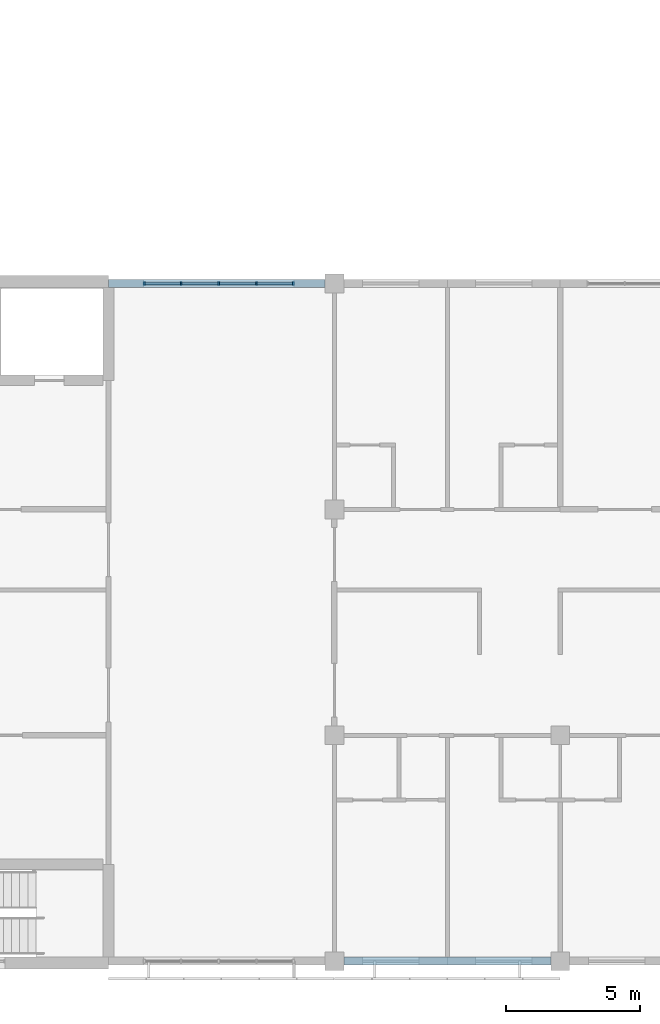
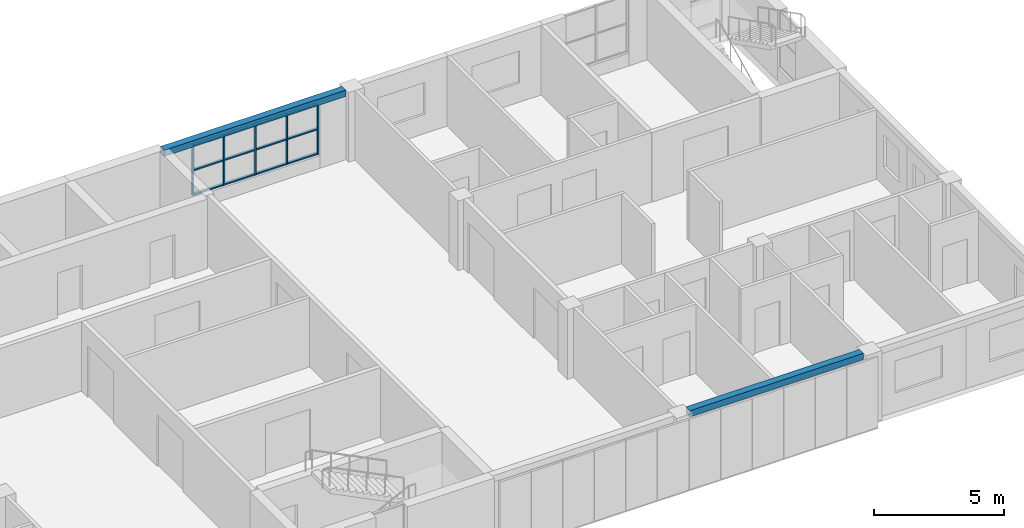
# One storey, part 17 of 46: 17 members, 2 beams, 1 element without a shape of its own.
"""IFC4 building model written with IfcOpenShell, lengths in metres."""

from ifc_helpers import new_model, si_unit, direction, frame, origin, origin_2d, place, context, subcontext, project, spatial, rectangle, extrude, material, material_profile, profile_set, type_object, element, aggregate, save


model = new_model("IFC4")

# Units and contexts
model_context = context("Model", 3, precision=1e-05, world=origin(), true_north=direction((0.0, 1.0)))
body_context = subcontext(model_context, "Body", "Model", "MODEL_VIEW")
ifc_project = project(units=[si_unit("LENGTHUNIT", "METRE"), si_unit("AREAUNIT", "SQUARE_METRE"), si_unit("VOLUMEUNIT", "CUBIC_METRE"), si_unit("PLANEANGLEUNIT", "RADIAN"), si_unit("MASSUNIT", "GRAM", prefix="KILO")], contexts=[model_context])

# Site, building, storey
site_placement = place(None, origin())
site = spatial("IfcSite", under=ifc_project, at=site_placement, CompositionType="ELEMENT")
building_placement = place(site_placement, origin())
building = spatial("IfcBuilding", under=site, at=building_placement, Name="Yavir Park General Hospital", CompositionType="ELEMENT")
storey_placement = place(building_placement, frame((0.0, 0.0, 18.89990234375)))
storey = spatial("IfcBuildingStorey", under=building, at=storey_placement, Name="L04", CompositionType="ELEMENT", Elevation=18.89990234375)

# Curtain wall, members
ifc_material_1 = material(Name="Aluminium curtain wall frame with insulated glazing", Category="aluminium")
curtain_wall_type = type_object("IfcCurtainWallType", Name="Day room pocket glazing, ward floors, 2360 high, 1400 module", PredefinedType="NOTDEFINED", material=ifc_material_1)
curtain_wall_placement = place(storey_placement, origin())
curtain_wall = element("IfcCurtainWall", 1, at=curtain_wall_placement, inside=storey, type_object=curtain_wall_type, Name="CW6 L04-011", PredefinedType="NOTDEFINED")
ifc_material_2 = material(Name="Aluminium", Category="aluminium")
ifc_material_profile_1 = material_profile(ifc_material_2, rectangle(XDim=0.139892578125, YDim=0.06005859375, at=origin_2d()), Name="AL 60x140")
ifc_profile_set_1 = profile_set([ifc_material_profile_1], Name="Aluminium")
member_type_1 = type_object("IfcMemberType", Name="Day room pocket glazing, ward floors, 2360 high mullion 60 x 140", PredefinedType="MULLION", material=ifc_profile_set_1)
member_1_placement = place(storey_placement, frame((144.1298828125, 25.199951171875, 0.60009765625), z_axis=(0.0, 0.0, 1.0), x_axis=(0.0, 1.0, 0.0)))
member_1 = element("IfcMember", 2, at=member_1_placement, type_object=member_type_1, Name="CW6 mullion 1", PredefinedType="MULLION", context=body_context, shape_type="SweptSolid", body=[
    extrude(rectangle(XDim=0.139892578125, YDim=0.06005859375, at=origin_2d()), origin(), (0.0, 0.0, 1.0), 2.360107421875),
])
member_2_placement = place(storey_placement, frame((145.5, 25.199951171875, 0.60009765625), z_axis=(0.0, 0.0, 1.0), x_axis=(0.0, 1.0, 0.0)))
member_2 = element("IfcMember", 3, at=member_2_placement, type_object=member_type_1, Name="CW6 mullion 2", PredefinedType="MULLION", context=body_context, shape_type="SweptSolid", body=[
    extrude(rectangle(XDim=0.139892578125, YDim=0.06005859375, at=origin_2d()), origin(), (0.0, 0.0, 1.0), 2.360107421875),
])
member_3_placement = place(storey_placement, frame((146.89990234375, 25.199951171875, 0.60009765625), z_axis=(0.0, 0.0, 1.0), x_axis=(0.0, 1.0, 0.0)))
member_3 = element("IfcMember", 4, at=member_3_placement, type_object=member_type_1, Name="CW6 mullion 3", PredefinedType="MULLION", context=body_context, shape_type="SweptSolid", body=[
    extrude(rectangle(XDim=0.139892578125, YDim=0.06005859375, at=origin_2d()), origin(), (0.0, 0.0, 1.0), 2.360107421875),
])
member_4_placement = place(storey_placement, frame((148.300048828125, 25.199951171875, 0.60009765625), z_axis=(0.0, 0.0, 1.0), x_axis=(0.0, 1.0, 0.0)))
member_4 = element("IfcMember", 5, at=member_4_placement, type_object=member_type_1, Name="CW6 mullion 4", PredefinedType="MULLION", context=body_context, shape_type="SweptSolid", body=[
    extrude(rectangle(XDim=0.139892578125, YDim=0.06005859375, at=origin_2d()), origin(), (0.0, 0.0, 1.0), 2.360107421875),
])
member_5_placement = place(storey_placement, frame((149.669921875, 25.199951171875, 0.60009765625), z_axis=(0.0, 0.0, 1.0), x_axis=(0.0, 1.0, 0.0)))
member_5 = element("IfcMember", 6, at=member_5_placement, type_object=member_type_1, Name="CW6 mullion 5", PredefinedType="MULLION", context=body_context, shape_type="SweptSolid", body=[
    extrude(rectangle(XDim=0.139892578125, YDim=0.06005859375, at=origin_2d()), origin(), (0.0, 0.0, 1.0), 2.360107421875),
])
ifc_material_3 = material(Name="Aluminium", Category="aluminium")
ifc_material_profile_2 = material_profile(ifc_material_3, rectangle(XDim=0.1201171875, YDim=0.06005859375, at=origin_2d()), Name="AL 120x60")
ifc_profile_set_2 = profile_set([ifc_material_profile_2], Name="Aluminium")
member_type_2 = type_object("IfcMemberType", Name="Day room pocket glazing, ward floors, 2360 high transom 60 x 120", PredefinedType="MULLION", material=ifc_profile_set_2)
member_6_placement = place(storey_placement, frame((144.159912109375, 25.199951171875, 0.630126953125), z_axis=(1.0, 0.0, 0.0), x_axis=(0.0, 1.0, 0.0)))
member_6 = element("IfcMember", 7, at=member_6_placement, type_object=member_type_2, Name="CW6 transom 1.1", PredefinedType="MULLION", context=body_context, shape_type="SweptSolid", body=[
    extrude(rectangle(XDim=0.1201171875, YDim=0.06005859375, at=origin_2d()), origin(), (0.0, 0.0, 1.0), 1.31005859375),
])
member_7_placement = place(storey_placement, frame((144.159912109375, 25.199951171875, 1.780029296875), z_axis=(1.0, 0.0, 0.0), x_axis=(0.0, 1.0, 0.0)))
member_7 = element("IfcMember", 8, at=member_7_placement, type_object=member_type_2, Name="CW6 transom 1.2", PredefinedType="MULLION", context=body_context, shape_type="SweptSolid", body=[
    extrude(rectangle(XDim=0.1201171875, YDim=0.06005859375, at=origin_2d()), origin(), (0.0, 0.0, 1.0), 1.31005859375),
])
member_8_placement = place(storey_placement, frame((144.159912109375, 25.199951171875, 2.93017578125), z_axis=(1.0, 0.0, 0.0), x_axis=(0.0, 1.0, 0.0)))
member_8 = element("IfcMember", 9, at=member_8_placement, type_object=member_type_2, Name="CW6 transom 1.3", PredefinedType="MULLION", context=body_context, shape_type="SweptSolid", body=[
    extrude(rectangle(XDim=0.1201171875, YDim=0.06005859375, at=origin_2d()), origin(), (0.0, 0.0, 1.0), 1.31005859375),
])
member_9_placement = place(storey_placement, frame((145.530029296875, 25.199951171875, 0.630126953125), z_axis=(1.0, 0.0, 0.0), x_axis=(0.0, 1.0, 0.0)))
member_9 = element("IfcMember", 10, at=member_9_placement, type_object=member_type_2, Name="CW6 transom 2.1", PredefinedType="MULLION", context=body_context, shape_type="SweptSolid", body=[
    extrude(rectangle(XDim=0.1201171875, YDim=0.06005859375, at=origin_2d()), origin(), (0.0, 0.0, 1.0), 1.340087890625),
])
member_10_placement = place(storey_placement, frame((145.530029296875, 25.199951171875, 1.780029296875), z_axis=(1.0, 0.0, 0.0), x_axis=(0.0, 1.0, 0.0)))
member_10 = element("IfcMember", 11, at=member_10_placement, type_object=member_type_2, Name="CW6 transom 2.2", PredefinedType="MULLION", context=body_context, shape_type="SweptSolid", body=[
    extrude(rectangle(XDim=0.1201171875, YDim=0.06005859375, at=origin_2d()), origin(), (0.0, 0.0, 1.0), 1.340087890625),
])
member_11_placement = place(storey_placement, frame((145.530029296875, 25.199951171875, 2.93017578125), z_axis=(1.0, 0.0, 0.0), x_axis=(0.0, 1.0, 0.0)))
member_11 = element("IfcMember", 12, at=member_11_placement, type_object=member_type_2, Name="CW6 transom 2.3", PredefinedType="MULLION", context=body_context, shape_type="SweptSolid", body=[
    extrude(rectangle(XDim=0.1201171875, YDim=0.06005859375, at=origin_2d()), origin(), (0.0, 0.0, 1.0), 1.340087890625),
])
member_12_placement = place(storey_placement, frame((146.929931640625, 25.199951171875, 0.630126953125), z_axis=(1.0, 0.0, 0.0), x_axis=(0.0, 1.0, 0.0)))
member_12 = element("IfcMember", 13, at=member_12_placement, type_object=member_type_2, Name="CW6 transom 3.1", PredefinedType="MULLION", context=body_context, shape_type="SweptSolid", body=[
    extrude(rectangle(XDim=0.1201171875, YDim=0.06005859375, at=origin_2d()), origin(), (0.0, 0.0, 1.0), 1.340087890625),
])
member_13_placement = place(storey_placement, frame((146.929931640625, 25.199951171875, 1.780029296875), z_axis=(1.0, 0.0, 0.0), x_axis=(0.0, 1.0, 0.0)))
member_13 = element("IfcMember", 14, at=member_13_placement, type_object=member_type_2, Name="CW6 transom 3.2", PredefinedType="MULLION", context=body_context, shape_type="SweptSolid", body=[
    extrude(rectangle(XDim=0.1201171875, YDim=0.06005859375, at=origin_2d()), origin(), (0.0, 0.0, 1.0), 1.340087890625),
])
member_14_placement = place(storey_placement, frame((146.929931640625, 25.199951171875, 2.93017578125), z_axis=(1.0, 0.0, 0.0), x_axis=(0.0, 1.0, 0.0)))
member_14 = element("IfcMember", 15, at=member_14_placement, type_object=member_type_2, Name="CW6 transom 3.3", PredefinedType="MULLION", context=body_context, shape_type="SweptSolid", body=[
    extrude(rectangle(XDim=0.1201171875, YDim=0.06005859375, at=origin_2d()), origin(), (0.0, 0.0, 1.0), 1.340087890625),
])
member_15_placement = place(storey_placement, frame((148.330078125, 25.199951171875, 0.630126953125), z_axis=(1.0, 0.0, 0.0), x_axis=(0.0, 1.0, 0.0)))
member_15 = element("IfcMember", 16, at=member_15_placement, type_object=member_type_2, Name="CW6 transom 4.1", PredefinedType="MULLION", context=body_context, shape_type="SweptSolid", body=[
    extrude(rectangle(XDim=0.1201171875, YDim=0.06005859375, at=origin_2d()), origin(), (0.0, 0.0, 1.0), 1.309814453125),
])
member_16_placement = place(storey_placement, frame((148.330078125, 25.199951171875, 1.780029296875), z_axis=(1.0, 0.0, 0.0), x_axis=(0.0, 1.0, 0.0)))
member_16 = element("IfcMember", 17, at=member_16_placement, type_object=member_type_2, Name="CW6 transom 4.2", PredefinedType="MULLION", context=body_context, shape_type="SweptSolid", body=[
    extrude(rectangle(XDim=0.1201171875, YDim=0.06005859375, at=origin_2d()), origin(), (0.0, 0.0, 1.0), 1.309814453125),
])
member_17_placement = place(storey_placement, frame((148.330078125, 25.199951171875, 2.93017578125), z_axis=(1.0, 0.0, 0.0), x_axis=(0.0, 1.0, 0.0)))
member_17 = element("IfcMember", 18, at=member_17_placement, type_object=member_type_2, Name="CW6 transom 4.3", PredefinedType="MULLION", context=body_context, shape_type="SweptSolid", body=[
    extrude(rectangle(XDim=0.1201171875, YDim=0.06005859375, at=origin_2d()), origin(), (0.0, 0.0, 1.0), 1.309814453125),
])
aggregate(curtain_wall, [member_1, member_2, member_3, member_4, member_5, member_6, member_7, member_8, member_9, member_10, member_11, member_12, member_13, member_14, member_15, member_16, member_17])

# Beams
ifc_material_4 = material(Name="Concrete C35/45", Category="concrete")
ifc_material_profile_3 = material_profile(ifc_material_4, rectangle(XDim=0.300048828125, YDim=0.300048828125, at=origin_2d()), Name="RC300x300")
ifc_profile_set_3 = profile_set([ifc_material_profile_3], Name="Concrete C35/45")
beam_type = type_object("IfcBeamType", Name="RC BEAM 300x300 edge beam", PredefinedType="BEAM", material=ifc_profile_set_3)
beam_1_placement = place(storey_placement, frame((151.550048828125, 0.0, 3.110107421875), z_axis=(1.0, 0.0, 0.0), x_axis=(0.0, 1.0, 0.0)))
element("IfcBeam", 19, at=beam_1_placement, inside=storey, type_object=beam_type, Name="B:EDGE:L04:009", PredefinedType="BEAM", context=body_context, shape_type="SweptSolid", body=[
    extrude(rectangle(XDim=0.300048828125, YDim=0.300048828125, at=origin_2d()), origin(), (0.0, 0.0, 1.0), 7.699951171875),
])
beam_2_placement = place(storey_placement, frame((142.800048828125, 25.199951171875, 3.110107421875), z_axis=(1.0, 0.0, 0.0), x_axis=(0.0, 1.0, 0.0)))
element("IfcBeam", 20, at=beam_2_placement, inside=storey, type_object=beam_type, Name="B:EDGE:L04:014", PredefinedType="BEAM", context=body_context, shape_type="SweptSolid", body=[
    extrude(rectangle(XDim=0.300048828125, YDim=0.300048828125, at=origin_2d()), origin(), (0.0, 0.0, 1.0), 8.050048828125),
])

save(model, "model.ifc")
